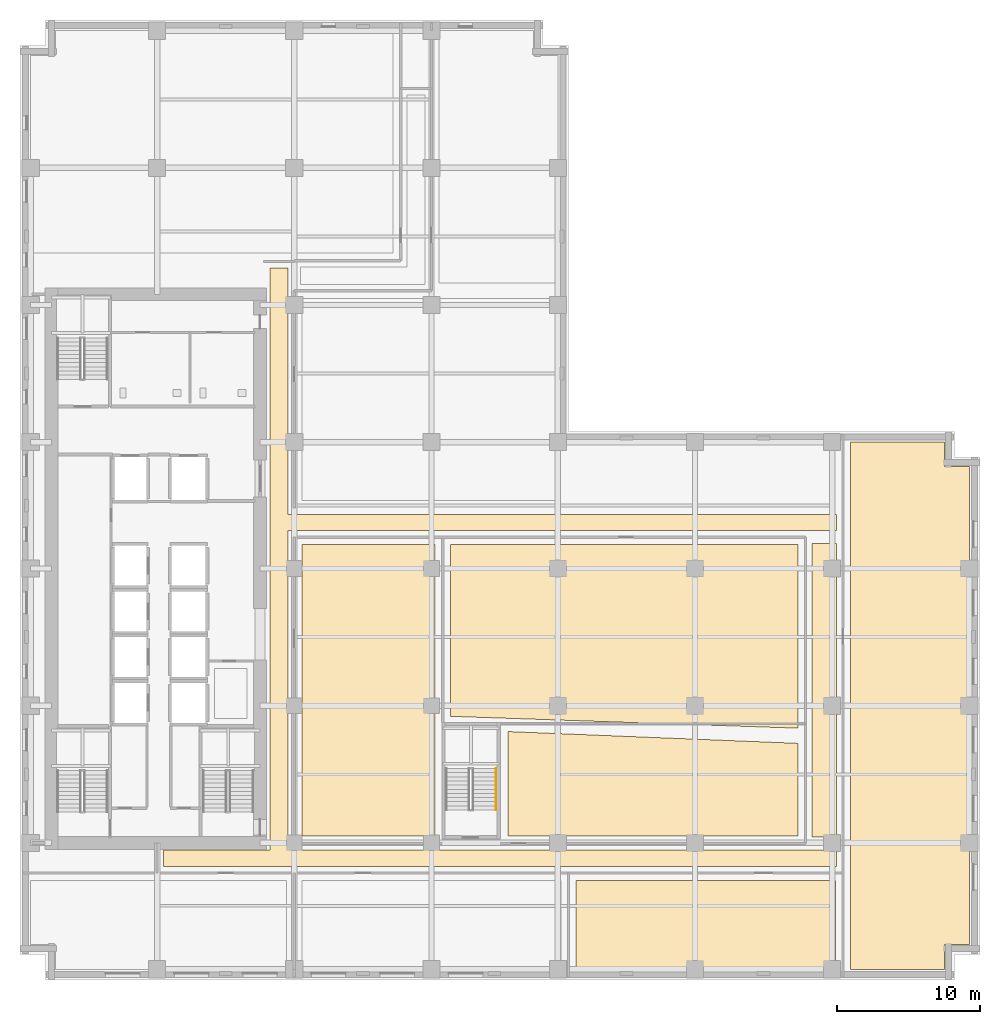
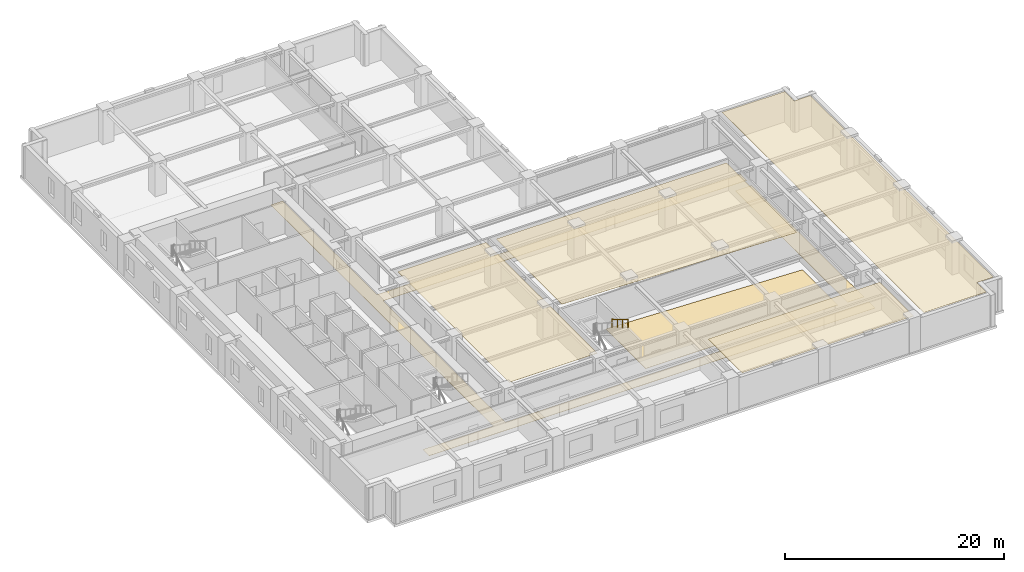
# One storey, part 10 of 13: 7 coverings, 1 railing.
"""IFC4 building model written with IfcOpenShell, lengths in metres."""

from ifc_helpers import new_model, si_unit, direction, frame, origin, origin_2d, place, context, subcontext, project, spatial, polyline, circle, outline, extrude, material, layer, layer_set, type_object, element, save


model = new_model("IFC4")

# Units and contexts
model_context = context("Model", 3, precision=1e-05, world=origin(), true_north=direction((0.0, 1.0)))
body_context = subcontext(model_context, "Body", "Model", "MODEL_VIEW")
ifc_project = project(units=[si_unit("LENGTHUNIT", "METRE"), si_unit("AREAUNIT", "SQUARE_METRE"), si_unit("VOLUMEUNIT", "CUBIC_METRE"), si_unit("PLANEANGLEUNIT", "RADIAN"), si_unit("MASSUNIT", "GRAM", prefix="KILO")], contexts=[model_context])

# Site, building, storey
site_placement = place(None, origin())
site = spatial("IfcSite", under=ifc_project, at=site_placement, CompositionType="ELEMENT")
building_placement = place(site_placement, origin())
building = spatial("IfcBuilding", under=site, at=building_placement, Name="Norrvale University Quadrangle", CompositionType="ELEMENT")
storey_placement = place(building_placement, frame((0.0, 0.0, 47.0)))
storey = spatial("IfcBuildingStorey", under=building, at=storey_placement, Name="L11", CompositionType="ELEMENT", Elevation=47.0)

# Coverings
ifc_material_1 = material(Name="Perforated Acoustic Mineral Ceiling")
ifc_layer_1 = layer(ifc_material_1, 0.02490234375, Name="Perforated Acoustic Mineral Ceiling")
ifc_layer_set_1 = layer_set([ifc_layer_1], Name="Perforated Acoustic Mineral Ceiling")
covering_type_1 = type_object("IfcCoveringType", Name="Covering Acoustic Ceiling 25", PredefinedType="CEILING", material=ifc_layer_set_1)
covering_1_placement = place(storey_placement, frame((0.0, 0.0, 3.514892578125)))
element("IfcCovering", 1, at=covering_1_placement, inside=storey, type_object=covering_type_1, Name="Acoustic Ceiling RM-L11-S03", PredefinedType="CEILING", context=body_context, shape_type="SweptSolid", body=[
    extrude(outline(polyline([(38.929931640625, 6.969970703125), (57.070068359375, 6.969970703125), (57.070068359375, 0.75), (38.929931640625, 0.75), (38.929931640625, 6.969970703125)])), origin(), (0.0, 0.0, 1.0), 0.025146484375),
])
covering_2_placement = place(storey_placement, frame((0.0, 0.0, 3.514892578125)))
element("IfcCovering", 2, at=covering_2_placement, inside=storey, type_object=covering_type_1, Name="Acoustic Ceiling RM-L11-E01", PredefinedType="CEILING", context=body_context, shape_type="SweptSolid", body=[
    extrude(outline(polyline([(58.1298828125, 0.75), (58.1298828125, 37.64990234375), (64.72998046875, 37.64990234375), (64.72998046875, 35.929931640625), (66.449951171875, 35.929931640625), (66.449951171875, 2.469970703125), (64.72998046875, 2.469970703125), (64.72998046875, 0.75), (58.1298828125, 0.75)])), origin(), (0.0, 0.0, 1.0), 0.025146484375),
])
covering_3_placement = place(storey_placement, frame((0.0, 0.0, 3.514892578125)))
element("IfcCovering", 3, at=covering_3_placement, inside=storey, type_object=covering_type_1, Name="Acoustic Ceiling RM-L11-IW1", PredefinedType="CEILING", context=body_context, shape_type="SweptSolid", body=[
    extrude(outline(polyline([(19.72998046875, 10.080078125), (19.72998046875, 30.469970703125), (29.050048828125, 30.469970703125), (29.050048828125, 10.080078125), (19.72998046875, 10.080078125)])), origin(), (0.0, 0.0, 1.0), 0.025146484375),
])
covering_4_placement = place(storey_placement, frame((0.0, 0.0, 3.514892578125)))
element("IfcCovering", 4, at=covering_4_placement, inside=storey, type_object=covering_type_1, Name="Acoustic Ceiling RM-L11-ILH", PredefinedType="CEILING", context=body_context, shape_type="SweptSolid", body=[
    extrude(outline(polyline([(30.1298828125, 18.455078125), (30.1298828125, 30.469970703125), (54.445068359375, 30.469970703125), (54.445068359375, 17.6259765625), (30.1298828125, 18.455078125)])), origin(), (0.0, 0.0, 1.0), 0.025146484375),
])
ifc_material_2 = material(Name="Polished Terrazzo Flooring")
ifc_layer_2 = layer(ifc_material_2, 0.02490234375, Name="Polished Terrazzo Flooring")
ifc_layer_set_2 = layer_set([ifc_layer_2], Name="Polished Terrazzo Flooring")
covering_type_2 = type_object("IfcCoveringType", Name="Covering Terrazzo Floor 30", PredefinedType="FLOORING", material=ifc_layer_set_2)
covering_5_placement = place(storey_placement, origin())
element("IfcCovering", 5, at=covering_5_placement, inside=storey, type_object=covering_type_2, Name="Terrazzo Flooring RM-L11-CORR1", PredefinedType="FLOORING", context=body_context, shape_type="SweptSolid", body=[
    extrude(outline(polyline([(10.050048828125, 7.949951171875), (10.050048828125, 9.10009765625), (17.5, 9.10009765625), (17.5, 49.85009765625), (18.75, 49.85009765625), (18.75, 32.60009765625), (57.14990234375, 32.60009765625), (57.14990234375, 31.449951171875), (18.75, 31.449951171875), (18.75, 9.10009765625), (57.14990234375, 9.10009765625), (57.14990234375, 7.949951171875), (10.050048828125, 7.949951171875)])), origin(), (0.0, 0.0, 1.0), 0.02490234375),
])
covering_6_placement = place(storey_placement, origin())
element("IfcCovering", 6, at=covering_6_placement, inside=storey, type_object=covering_type_2, Name="Terrazzo Flooring RM-L11-CORR2", PredefinedType="FLOORING", context=body_context, shape_type="SweptSolid", body=[
    extrude(outline(polyline([(55.425048828125, 10.0), (55.425048828125, 30.550048828125), (57.14990234375, 30.550048828125), (57.14990234375, 10.0), (55.425048828125, 10.0)])), origin(), (0.0, 0.0, 1.0), 0.02490234375),
])
covering_7_placement = place(storey_placement, origin())
element("IfcCovering", 7, at=covering_7_placement, inside=storey, type_object=covering_type_2, Name="Terrazzo Flooring RM-L11-ISE", PredefinedType="FLOORING", context=body_context, shape_type="SweptSolid", body=[
    extrude(outline(polyline([(34.14990234375, 10.080078125), (34.14990234375, 17.39111328125), (54.445068359375, 16.568115234375), (54.445068359375, 10.080078125), (34.14990234375, 10.080078125)])), origin(), (0.0, 0.0, 1.0), 0.02490234375),
])

# Railing
ifc_material_3 = material(Name="Stainless Steel 316L Handrail", Category="steel")
railing_type = type_object("IfcRailingType", Name="Railing Stair Handrail 920", PredefinedType="HANDRAIL", material=ifc_material_3)
railing_placement = place(storey_placement, frame((33.31005859375, 14.800048828125, 2.07275390625)))
element("IfcRailing", 8, at=railing_placement, inside=storey, type_object=railing_type, Name="Stair Upper Flight Handrail ST-04 L11", PredefinedType="HANDRAIL", context=body_context, shape_type="SweptSolid", body=[
    extrude(circle(Radius=0.02392578125, at=origin_2d()), frame((0.0, 0.0, 0.89599609375), z_axis=(0.0, -0.859160404282, 0.51170636083), x_axis=(1.0, 0.0, 0.0)), (0.0, 0.0, 1.0), 3.37548828125),
    extrude(circle(Radius=0.02099609375, at=origin_2d()), origin(), (0.0, 0.0, 1.0), 0.871826171875),
    extrude(circle(Radius=0.02099609375, at=origin_2d()), frame((0.0, -0.966796875, 0.57568359375)), (0.0, 0.0, 1.0), 0.871826171875),
    extrude(circle(Radius=0.02099609375, at=origin_2d()), frame((0.0, -1.933349609375, 1.151611328125)), (0.0, 0.0, 1.0), 0.871826171875),
    extrude(circle(Radius=0.02099609375, at=origin_2d()), frame((0.0, -2.900146484375, 1.727294921875)), (0.0, 0.0, 1.0), 0.871826171875),
])

save(model, "model.ifc")
